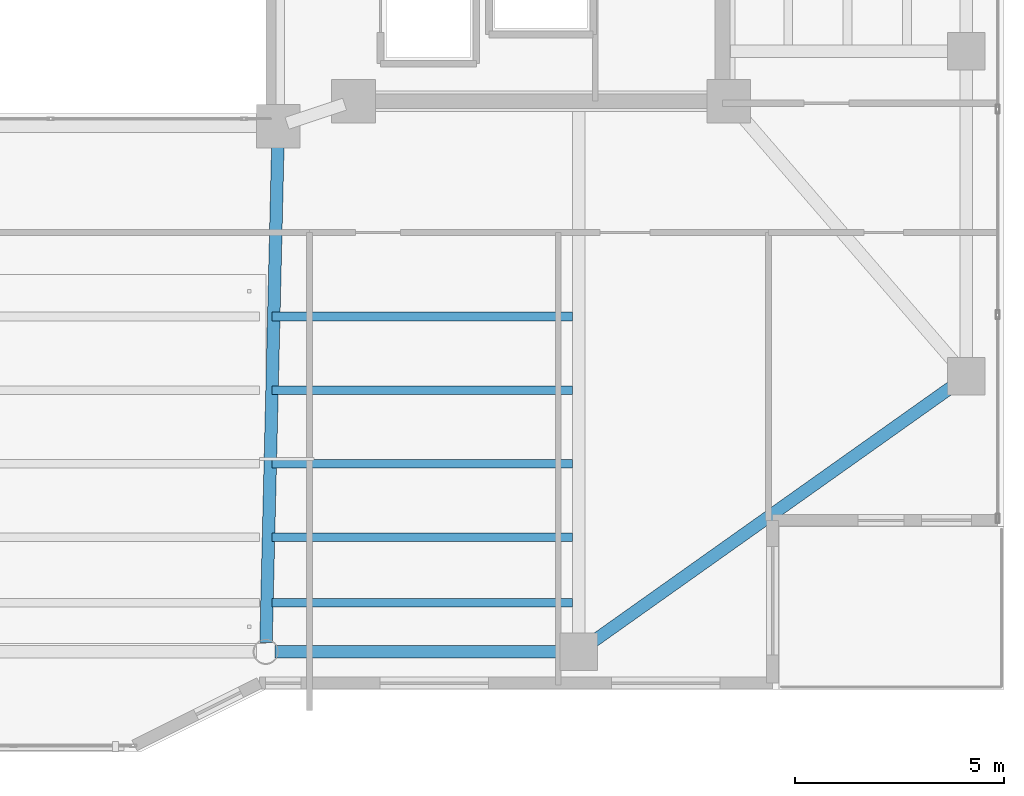
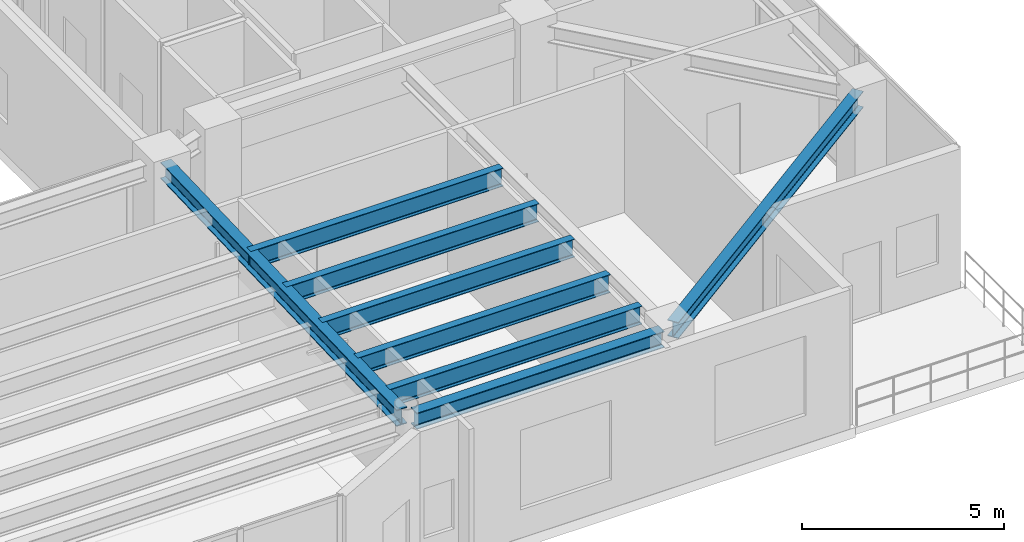
# One storey, part 11 of 33: 8 beams.
"""IFC4 building model written with IfcOpenShell, lengths in metres."""

from ifc_helpers import new_model, si_unit, direction, frame, origin, origin_2d, place, context, subcontext, project, spatial, i_section, extrude, material, material_profile, profile_set, type_object, element, save


model = new_model("IFC4")

# Units and contexts
model_context = context("Model", 3, precision=1e-05, world=origin(), true_north=direction((0.0, 1.0)))
body_context = subcontext(model_context, "Body", "Model", "MODEL_VIEW")
ifc_project = project(units=[si_unit("LENGTHUNIT", "METRE"), si_unit("AREAUNIT", "SQUARE_METRE"), si_unit("VOLUMEUNIT", "CUBIC_METRE"), si_unit("PLANEANGLEUNIT", "RADIAN"), si_unit("MASSUNIT", "GRAM", prefix="KILO")], contexts=[model_context])

# Site, building, storey
site_placement = place(None, origin())
site = spatial("IfcSite", under=ifc_project, at=site_placement, CompositionType="ELEMENT")
building_placement = place(site_placement, origin())
building = spatial("IfcBuilding", under=site, at=building_placement, Name="Tarnavaz Court Tower", CompositionType="ELEMENT")
storey_placement = place(building_placement, frame((0.0, 0.0, 172.800048828125)))
storey = spatial("IfcBuildingStorey", under=building, at=storey_placement, Name="L47", CompositionType="ELEMENT", Elevation=172.800048828125)

# Beams
ifc_material = material(Name="Steel S355", Category="steel")
ifc_material_profile_1 = material_profile(ifc_material, i_section(OverallWidth=0.300048828125, OverallDepth=0.5, WebThickness=0.014404296875, FlangeThickness=0.028076171875, FilletRadius=0.027099609375, at=origin_2d()), Name="HEB 500")
ifc_profile_set_1 = profile_set([ifc_material_profile_1], Name="Steel S355")
beam_type_1 = type_object("IfcBeamType", Name="BM-G-HEB500", PredefinedType="USERDEFINED", material=ifc_profile_set_1)
beam_1_placement = place(storey_placement, frame((7.794921875, -8.02001953125, 3.949951171875), z_axis=(-0.023824748444, -0.999716150395, 0.0), x_axis=(0.999716150395, -0.023824748444, 0.0)))
element("IfcBeam", 1, at=beam_1_placement, inside=storey, type_object=beam_type_1, Name="L47 Beam RG-07", ObjectType="GIRDER", PredefinedType="USERDEFINED", context=body_context, shape_type="SweptSolid", body=[
    extrude(i_section(OverallWidth=0.300048828125, OverallDepth=0.5, WebThickness=0.014404296875, FlangeThickness=0.028076171875, FilletRadius=0.027099609375, at=origin_2d()), origin(), (0.0, 0.0, 1.0), 12.16357421875),
])
ifc_material_profile_2 = material_profile(ifc_material, i_section(OverallWidth=0.2099609375, OverallDepth=0.550048828125, WebThickness=0.010986328125, FlangeThickness=0.01708984375, FilletRadius=0.02392578125, at=origin_2d()), Name="IPE 550")
ifc_profile_set_2 = profile_set([ifc_material_profile_2], Name="Steel S355")
beam_type_2 = type_object("IfcBeamType", Name="BM-J-IPE550", PredefinedType="JOIST", material=ifc_profile_set_2)
for number, where, z_axis, x_axis, name in (
    (2, (7.64990234375, -12.364013671875, 3.925048828125), (1.0, 0.0, 0.0), (0.0, 1.0, 0.0), "L47 Beam JS1-3"),
    (3, (7.64990234375, -14.1279296875, 3.925048828125), (1.0, 0.0, 0.0), (0.0, 1.0, 0.0), "L47 Beam JS2-3"),
    (4, (7.64990234375, -15.89208984375, 3.925048828125), (1.0, 0.0, 0.0), (0.0, 1.0, 0.0), "L47 Beam JS3-3"),
    (5, (7.64990234375, -17.656005859375, 3.925048828125), (1.0, 0.0, 0.0), (0.0, 1.0, 0.0), "L47 Beam JS4-3"),
    (6, (7.64990234375, -19.22412109375, 3.925048828125), (1.0, 0.0, 0.0), (0.0, 1.0, 0.0), "L47 Beam JS5-3"),
):
    element("IfcBeam", number, at=place(storey_placement, frame(where, z_axis=z_axis, x_axis=x_axis)), inside=storey, type_object=beam_type_2, Name=name, PredefinedType="JOIST", context=body_context, shape_type="SweptSolid", body=[
        extrude(i_section(OverallWidth=0.2099609375, OverallDepth=0.550048828125, WebThickness=0.010986328125, FlangeThickness=0.01708984375, FilletRadius=0.02392578125, at=origin_2d()), origin(), (0.0, 0.0, 1.0), 7.2001953125),
    ])
ifc_material_profile_3 = material_profile(ifc_material, i_section(OverallWidth=0.300048828125, OverallDepth=0.489990234375, WebThickness=0.011962890625, FlangeThickness=0.02294921875, FilletRadius=0.027099609375, at=origin_2d()), Name="HEA 500")
ifc_profile_set_3 = profile_set([ifc_material_profile_3], Name="Steel S355")
beam_type_3 = type_object("IfcBeamType", Name="BM-SP-HEA500", PredefinedType="SPANDREL", material=ifc_profile_set_3)
beam_2_placement = place(storey_placement, frame((7.719970703125, -20.39990234375, 3.954833984375), z_axis=(1.0, 0.0, 0.0), x_axis=(0.0, 1.0, 0.0)))
element("IfcBeam", 7, at=beam_2_placement, inside=storey, type_object=beam_type_3, Name="L47 Beam PR-PS-3-PS-4", PredefinedType="SPANDREL", context=body_context, shape_type="SweptSolid", body=[
    extrude(i_section(OverallWidth=0.300048828125, OverallDepth=0.489990234375, WebThickness=0.011962890625, FlangeThickness=0.02294921875, FilletRadius=0.027099609375, at=origin_2d()), origin(), (0.0, 0.0, 1.0), 7.06005859375),
])
beam_3_placement = place(storey_placement, frame((24.12060546875, -13.92724609375, 3.954833984375), z_axis=(-0.815502059396, -0.57875417158, 0.0), x_axis=(0.57875417158, -0.815502059396, 0.0)))
element("IfcBeam", 8, at=beam_3_placement, inside=storey, type_object=beam_type_3, Name="L47 Beam PR-PE-1-PS-4", PredefinedType="SPANDREL", context=body_context, shape_type="SweptSolid", body=[
    extrude(i_section(OverallWidth=0.300048828125, OverallDepth=0.489990234375, WebThickness=0.011962890625, FlangeThickness=0.02294921875, FilletRadius=0.027099609375, at=origin_2d()), origin(), (0.0, 0.0, 1.0), 10.964111328125),
])

save(model, "model.ifc")
